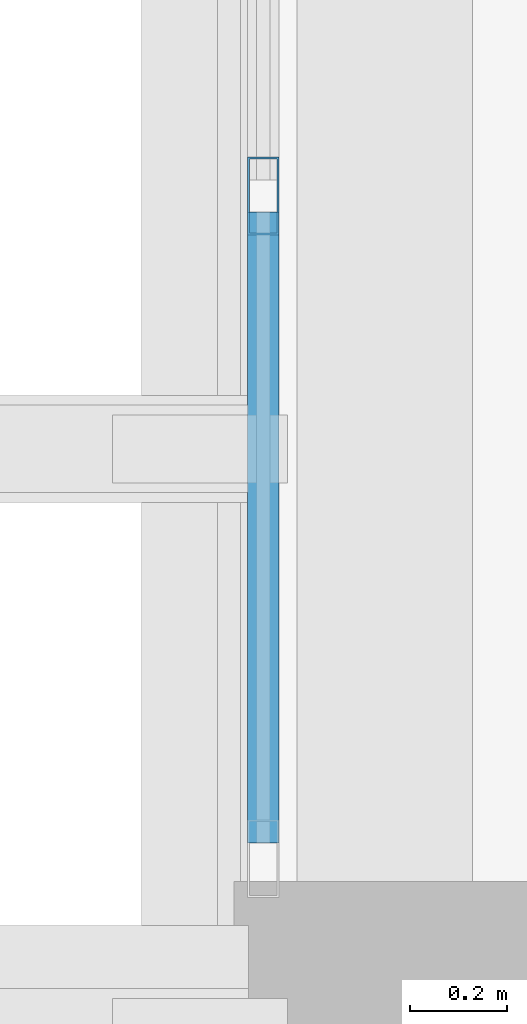
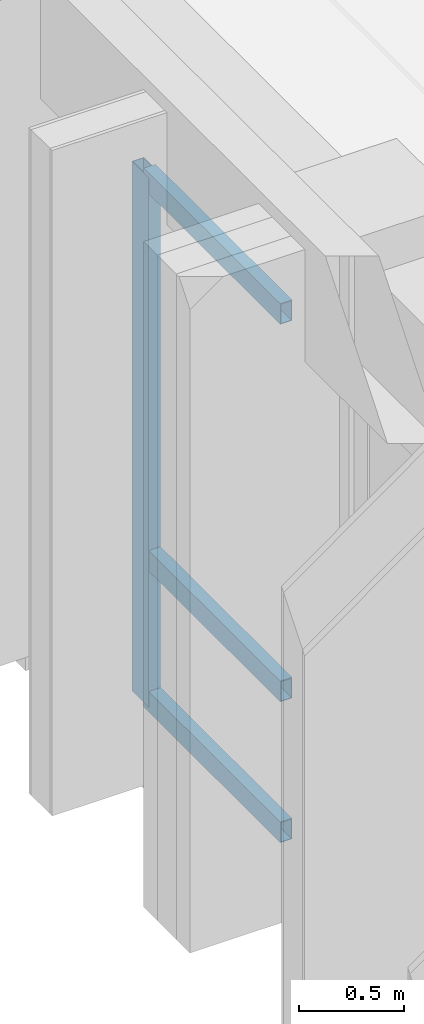
# One storey, part 22 of 50: 4 members, 1 element without a shape of its own.
"""IFC4 building model written with IfcOpenShell, lengths in metres."""

from ifc_helpers import new_model, si_unit, direction, frame, origin, origin_2d, place, context, subcontext, project, spatial, hollow_rectangle, extrude, material, layer, layer_set, material_profile, profile_set, type_object, element, aggregate, save


model = new_model("IFC4")

# Units and contexts
model_context = context("Model", 3, precision=1e-05, world=origin(), true_north=direction((0.0, 1.0)))
body_context = subcontext(model_context, "Body", "Model", "MODEL_VIEW")
ifc_project = project(units=[si_unit("LENGTHUNIT", "METRE"), si_unit("AREAUNIT", "SQUARE_METRE"), si_unit("VOLUMEUNIT", "CUBIC_METRE"), si_unit("PLANEANGLEUNIT", "RADIAN"), si_unit("MASSUNIT", "GRAM", prefix="KILO")], contexts=[model_context])

# Site, building, storey
site_placement = place(None, origin())
site = spatial("IfcSite", under=ifc_project, at=site_placement, CompositionType="ELEMENT")
building_placement = place(site_placement, origin())
building = spatial("IfcBuilding", under=site, at=building_placement, Name="Nakhvara Creek Congress Hotel", CompositionType="ELEMENT")
storey_placement = place(building_placement, frame((0.0, 0.0, 42.60009765625)))
storey = spatial("IfcBuildingStorey", under=building, at=storey_placement, Name="L10", CompositionType="ELEMENT", Elevation=42.60009765625)

# Curtain wall, members
ifc_material_1 = material(Name="Bronze-anodised aluminium AW-6063-T6 and double-silver low-E glass", Category="aluminium")
ifc_layer = layer(ifc_material_1, 0.199951171875)
ifc_layer_set = layer_set([ifc_layer], Name="Bronze-anodised aluminium AW-6063-T6 and double-silver low-E glass")
curtain_wall_type = type_object("IfcCurtainWallType", Name="CW-HTL-UNIT", PredefinedType="USERDEFINED", material=ifc_layer_set)
curtain_wall_placement = place(storey_placement, origin())
curtain_wall = element("IfcCurtainWall", 1, at=curtain_wall_placement, inside=storey, type_object=curtain_wall_type, Name="Curtain Wall CW327", ObjectType="UNITISED", PredefinedType="USERDEFINED")
ifc_material_2 = material(Name="Bronze-anodised aluminium AW-6063-T6", Category="aluminium")
ifc_material_profile_1 = material_profile(ifc_material_2, hollow_rectangle(XDim=0.06494140625, YDim=0.159912109375, WallThickness=0.00390625, at=origin_2d()), Name="ALU-MULL 65x160x4", Category="LoadBearing")
ifc_profile_set_1 = profile_set([ifc_material_profile_1], Name="Bronze-anodised aluminium AW-6063-T6")
member_type_1 = type_object("IfcMemberType", Name="CW-MULL-160", PredefinedType="MULLION", material=ifc_profile_set_1)
member_1_placement = place(storey_placement, frame((149.199951171875, 107.320068359375, 0.0), z_axis=(0.0, 0.0, 1.0), x_axis=(-1.0, 0.0, 0.0)))
member_1 = element("IfcMember", 2, at=member_1_placement, type_object=member_type_1, Name="CW327 mullion 2", PredefinedType="MULLION", context=body_context, shape_type="SweptSolid", body=[
    extrude(hollow_rectangle(XDim=0.06494140625, YDim=0.159912109375, WallThickness=0.00390625, at=origin_2d()), origin(), (0.0, 0.0, 1.0), 3.072021484375),
])
ifc_material_profile_2 = material_profile(ifc_material_2, hollow_rectangle(XDim=0.06494140625, YDim=0.1201171875, WallThickness=0.00390625, at=origin_2d()), Name="ALU-TRAN 65x120x4", Category="LoadBearing")
ifc_profile_set_2 = profile_set([ifc_material_profile_2], Name="Bronze-anodised aluminium AW-6063-T6")
member_type_2 = type_object("IfcMemberType", Name="CW-TRAN-120", PredefinedType="USERDEFINED", material=ifc_profile_set_2)
member_2_placement = place(storey_placement, frame((149.199951171875, 105.989990234375, 0.032470703125), z_axis=(0.0, 1.0, 0.0), x_axis=(-1.0, 0.0, 0.0)))
member_2 = element("IfcMember", 3, at=member_2_placement, type_object=member_type_2, Name="CW327 transom 1.1", ObjectType="TRANSOM", PredefinedType="USERDEFINED", context=body_context, shape_type="SweptSolid", body=[
    extrude(hollow_rectangle(XDim=0.06494140625, YDim=0.1201171875, WallThickness=0.00390625, at=origin_2d()), origin(), (0.0, 0.0, 1.0), 1.297607421875),
])
member_3_placement = place(storey_placement, frame((149.199951171875, 105.989990234375, 0.849853515625), z_axis=(0.0, 1.0, 0.0), x_axis=(-1.0, 0.0, 0.0)))
member_3 = element("IfcMember", 4, at=member_3_placement, type_object=member_type_2, Name="CW327 transom 1.2", ObjectType="TRANSOM", PredefinedType="USERDEFINED", context=body_context, shape_type="SweptSolid", body=[
    extrude(hollow_rectangle(XDim=0.06494140625, YDim=0.1201171875, WallThickness=0.00390625, at=origin_2d()), origin(), (0.0, 0.0, 1.0), 1.297607421875),
])
member_4_placement = place(storey_placement, frame((149.199951171875, 105.989990234375, 3.039306640625), z_axis=(0.0, 1.0, 0.0), x_axis=(-1.0, 0.0, 0.0)))
member_4 = element("IfcMember", 5, at=member_4_placement, type_object=member_type_2, Name="CW327 transom 1.3", ObjectType="TRANSOM", PredefinedType="USERDEFINED", context=body_context, shape_type="SweptSolid", body=[
    extrude(hollow_rectangle(XDim=0.06494140625, YDim=0.1201171875, WallThickness=0.00390625, at=origin_2d()), origin(), (0.0, 0.0, 1.0), 1.297607421875),
])
aggregate(curtain_wall, [member_1, member_2, member_3, member_4])

save(model, "model.ifc")
